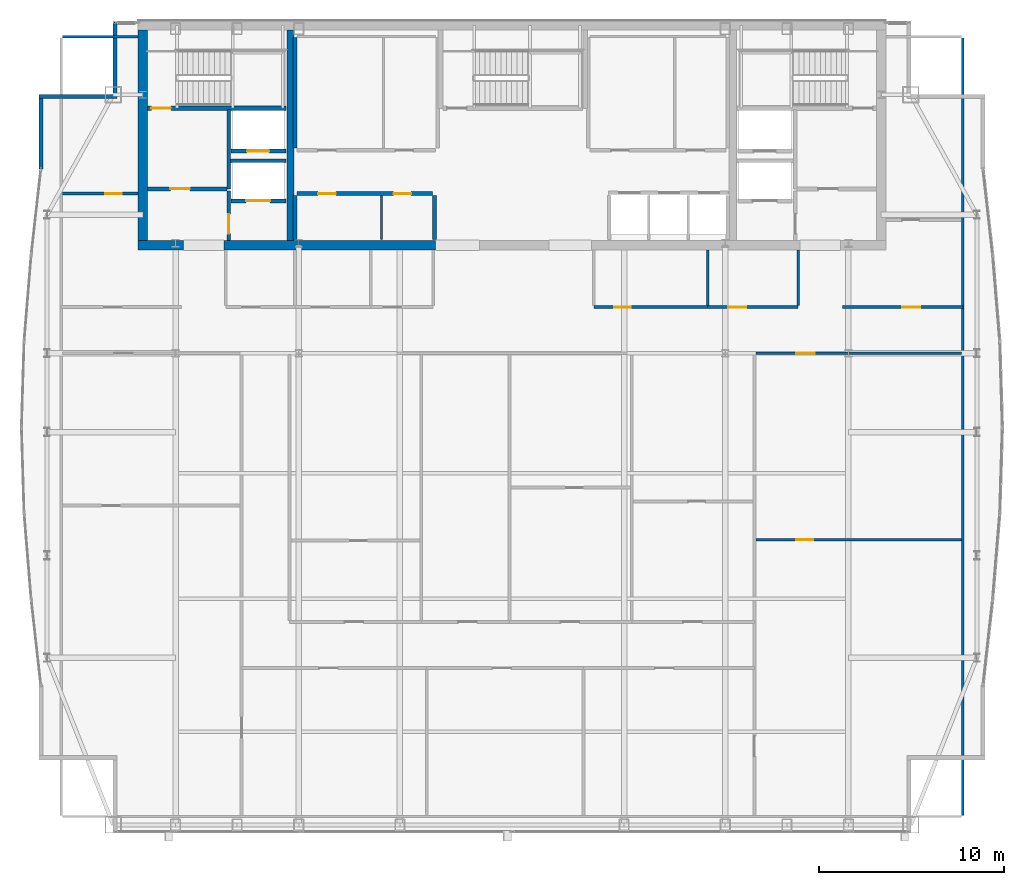
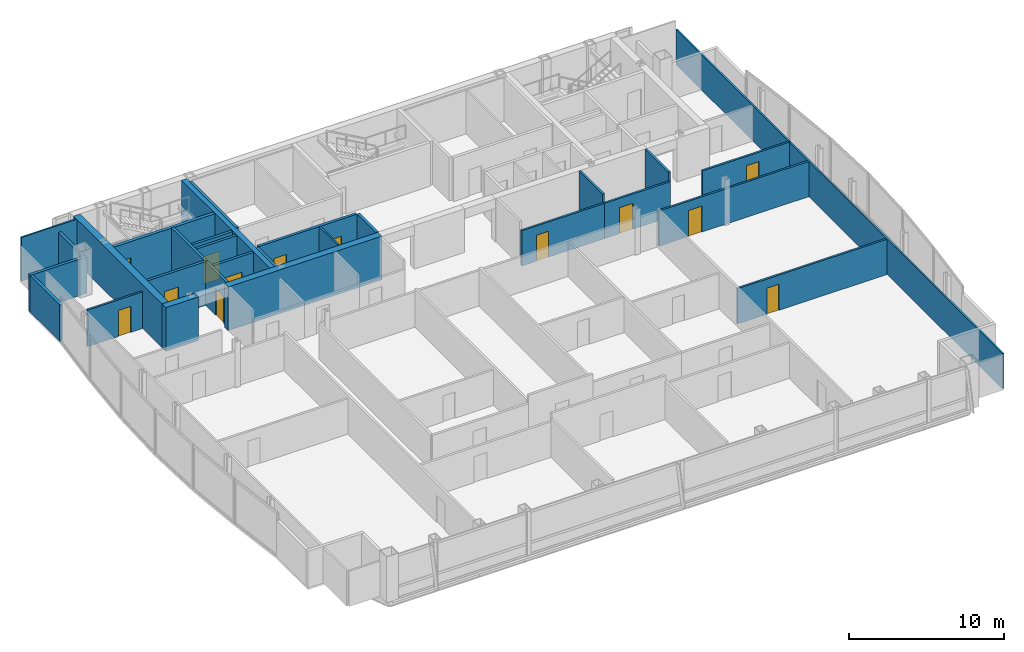
# One storey, part 21 of 25: 29 walls, 13 doors, 13 openings.
"""IFC4 building model written with IfcOpenShell, lengths in metres."""

from ifc_helpers import new_model, si_unit, direction, frame, frame_2d, origin, place, context, subcontext, project, spatial, rectangle, extrude, material, layer, layer_set, type_object, element, fill, save


model = new_model("IFC4")

# Units and contexts
model_context = context("Model", 3, precision=1e-05, world=origin(), true_north=direction((0.0, 1.0)))
body_context = subcontext(model_context, "Body", "Model", "MODEL_VIEW")
ifc_project = project(units=[si_unit("LENGTHUNIT", "METRE"), si_unit("AREAUNIT", "SQUARE_METRE"), si_unit("VOLUMEUNIT", "CUBIC_METRE"), si_unit("PLANEANGLEUNIT", "RADIAN"), si_unit("MASSUNIT", "GRAM", prefix="KILO")], contexts=[model_context])

# Site, building, storey
site_placement = place(None, origin())
site = spatial("IfcSite", under=ifc_project, at=site_placement, CompositionType="ELEMENT")
building_placement = place(site_placement, origin())
building = spatial("IfcBuilding", under=site, at=building_placement, Name="Khoronbel Lancet Exchange", CompositionType="ELEMENT")
storey_placement = place(building_placement, frame((0.0, 0.0, 295.0)))
storey = spatial("IfcBuildingStorey", under=building, at=storey_placement, Name="L76", CompositionType="ELEMENT", Elevation=295.0)

# Walls
ifc_material_1 = material(Name="Concrete C60/75", Category="concrete")
ifc_layer_1 = layer(ifc_material_1, 0.5, Name="Concrete C60/75")
ifc_layer_set_1 = layer_set([ifc_layer_1], Name="Concrete C60/75")
wall_type_1 = type_object("IfcWallType", Name="WL-CW4", PredefinedType="SHEAR", material=ifc_layer_set_1)
wall_1_placement = place(storey_placement, frame((16.449951171875, 41.800048828125, 0.0), z_axis=(0.0, 0.0, 1.0), x_axis=(0.0, 1.0, 0.0)))
element("IfcWall", 1, at=wall_1_placement, inside=storey, type_object=wall_type_1, Name="Level L76 rear core west shear wall", PredefinedType="SHEAR", context=body_context, shape_type="SweptSolid", body=[
    extrude(rectangle(XDim=11.39990234375, YDim=0.5, at=frame_2d((5.699951171875, 0.0))), origin(), (0.0, 0.0, 1.0), 3.43994140625),
])
wall_2_placement = place(storey_placement, frame((18.64990234375, 41.550048828125, 0.0), z_axis=(0.0, 0.0, 1.0), x_axis=(-1.0, 0.0, 0.0)))
element("IfcWall", 2, at=wall_2_placement, inside=storey, type_object=wall_type_1, Name="Level L76 rear core south shear wall pier P1", PredefinedType="SHEAR", context=body_context, shape_type="SweptSolid", body=[
    extrude(rectangle(XDim=2.449951171875, YDim=0.5, at=frame_2d((1.22509765625, 0.0))), origin(), (0.0, 0.0, 1.0), 3.43994140625),
])
wall_3_placement = place(storey_placement, frame((32.300048828125, 41.550048828125, 0.0), z_axis=(0.0, 0.0, 1.0), x_axis=(-1.0, 0.0, 0.0)))
element("IfcWall", 3, at=wall_3_placement, inside=storey, type_object=wall_type_1, Name="Level L76 rear core south shear wall pier P2", PredefinedType="SHEAR", context=body_context, shape_type="SweptSolid", body=[
    extrude(rectangle(XDim=11.449951171875, YDim=0.5, at=frame_2d((5.72509765625, 0.0))), origin(), (0.0, 0.0, 1.0), 3.43994140625),
])
ifc_material_2 = material(Name="Precast concrete C40/50", Category="concrete")
ifc_layer_2 = layer(ifc_material_2, 0.25, Name="Precast concrete C40/50")
ifc_layer_set_2 = layer_set([ifc_layer_2], Name="Precast concrete C40/50")
wall_type_2 = type_object("IfcWallType", Name="WL-EXT250", PredefinedType="SOLIDWALL", material=ifc_layer_set_2)
wall_4_placement = place(storey_placement, frame((10.93994140625, 45.675048828125, 0.0), z_axis=(0.0, 0.0, 1.0), x_axis=(0.0, 1.0, 0.0)))
element("IfcWall", 4, at=wall_4_placement, inside=storey, type_object=wall_type_2, Name="Level L76 notched-corner limestone pier 10", PredefinedType="SOLIDWALL", context=body_context, shape_type="SweptSolid", body=[
    extrude(rectangle(XDim=3.824951171875, YDim=0.219970703125, at=frame_2d((1.91259765625, 0.0))), origin(), (0.0, 0.0, 1.0), 2.8798828125),
])
wall_5_placement = place(storey_placement, frame((10.830078125, 49.610107421875, 0.0), z_axis=(0.0, 0.0, 1.0), x_axis=(1.0, 0.0, 0.0)))
element("IfcWall", 5, at=wall_5_placement, inside=storey, type_object=wall_type_2, Name="Level L76 notched-corner limestone pier 11", PredefinedType="SOLIDWALL", context=body_context, shape_type="SweptSolid", body=[
    extrude(rectangle(XDim=4.219970703125, YDim=0.219970703125, at=frame_2d((2.10986328125, 0.0))), origin(), (0.0, 0.0, 1.0), 2.8798828125),
])
wall_6_placement = place(storey_placement, frame((14.93994140625, 49.719970703125, 0.0), z_axis=(0.0, 0.0, 1.0), x_axis=(0.0, 1.0, 0.0)))
element("IfcWall", 6, at=wall_6_placement, inside=storey, type_object=wall_type_2, Name="Level L76 notched-corner limestone pier 12", PredefinedType="SOLIDWALL", context=body_context, shape_type="SweptSolid", body=[
    extrude(rectangle(XDim=3.909912109375, YDim=0.219970703125, at=frame_2d((1.955078125, 0.0))), origin(), (0.0, 0.0, 1.0), 2.8798828125),
])
ifc_material_3 = material(Name="Acoustic Metal-Stud & Mineral-Wool Gypsum Partition 120 mm", Category="gypsum")
ifc_layer_3 = layer(ifc_material_3, 0.1201171875, Name="Acoustic Metal-Stud & Mineral-Wool Gypsum Partition 120 mm")
ifc_layer_set_3 = layer_set([ifc_layer_3], Name="Acoustic Metal-Stud & Mineral-Wool Gypsum Partition 120 mm")
wall_type_3 = type_object("IfcWallType", Name="WL-PRT120", PredefinedType="PARTITIONING", material=ifc_layer_set_3)
for number, where, z_axis, x_axis, name in (
    (7, (47.050048828125, 38.280029296875, 0.0), (0.0, 0.0, 1.0), (0.0, 1.0, 0.0), "Level L76 interior partition PW-NP-M"),
    (8, (51.949951171875, 38.280029296875, 0.0), (0.0, 0.0, 1.0), (0.0, 1.0, 0.0), "Level L76 interior partition PW-NP-1"),
):
    element("IfcWall", number, at=place(storey_placement, frame(where, z_axis=z_axis, x_axis=x_axis)), inside=storey, type_object=wall_type_3, Name=name, PredefinedType="PARTITIONING", context=body_context, shape_type="SweptSolid", body=[
        extrude(rectangle(XDim=3.02001953125, YDim=0.14990234375, at=frame_2d((1.510009765625, 0.0))), origin(), (0.0, 0.0, 1.0), 3.43994140625),
    ])

# Wall, opening, door
wall_7_placement = place(storey_placement, frame((12.094970703125, 44.35009765625, 0.0), z_axis=(0.0, 0.0, 1.0), x_axis=(1.0, 0.0, 0.0)))
wall_7 = element("IfcWall", 9, at=wall_7_placement, inside=storey, type_object=wall_type_3, Name="Level L76 interior partition PW-NW-H", PredefinedType="PARTITIONING", context=body_context, shape_type="SweptSolid", body=[
    extrude(rectangle(XDim=4.10498046875, YDim=0.14990234375, at=frame_2d((2.052490234375, 0.0))), origin(), (0.0, 0.0, 1.0), 2.8798828125),
])
opening_1_placement = place(wall_7_placement, frame((2.320068359375, 0.0, 0.0)))
opening_1 = element("IfcOpeningElement", 10, at=opening_1_placement, cuts=wall_7, Name="Opening D5", PredefinedType="OPENING", context=body_context, shape_type="SweptSolid", body=[
    extrude(rectangle(XDim=0.89990234375, YDim=2.050048828125, at=frame_2d((0.449951171875, 1.02490234375))), frame((0.0, 0.0849609375, 0.0), z_axis=(0.0, -1.0, 0.0), x_axis=(1.0, 0.0, 0.0)), (0.0, 0.0, 1.0), 0.169921875),
])
ifc_material_4 = material(Name="Acoustic Timber Pantry & Support Door", Category="wood")
door_type_1 = type_object("IfcDoorType", Name="DR-D5", OperationType="NOTDEFINED", PredefinedType="DOOR", material=ifc_material_4)
door_1_placement = place(opening_1_placement, origin())
door_1 = element("IfcDoor", 11, at=door_1_placement, inside=storey, type_object=door_type_1, Name="NW north room door L76-1", OperationType="SINGLE_SWING_LEFT", OverallHeight=2.050048828125, OverallWidth=0.89990234375, PredefinedType="DOOR", context=body_context, shape_type="SweptSolid", body=[
    extrude(rectangle(XDim=0.89990234375, YDim=2.050048828125, at=frame_2d((0.449951171875, 1.02490234375))), frame((0.0, 0.02490234375, 0.0), z_axis=(0.0, -1.0, 0.0), x_axis=(1.0, 0.0, 0.0)), (0.0, 0.0, 1.0), 0.050048828125),
])
fill(opening_1, door_1)

wall_8_placement = place(storey_placement, frame((49.659912109375, 25.60009765625, 0.0), z_axis=(0.0, 0.0, 1.0), x_axis=(1.0, 0.0, 0.0)))
wall_8 = element("IfcWall", 12, at=wall_8_placement, inside=storey, type_object=wall_type_3, Name="Level L76 interior partition PW-Z4-EH", PredefinedType="PARTITIONING", context=body_context, shape_type="SweptSolid", body=[
    extrude(rectangle(XDim=11.14501953125, YDim=0.14990234375, at=frame_2d((5.572509765625, 0.0))), origin(), (0.0, 0.0, 1.0), 2.780029296875),
])
opening_2_placement = place(wall_8_placement, frame((2.199951171875, 0.0, 0.0)))
opening_2 = element("IfcOpeningElement", 13, at=opening_2_placement, cuts=wall_8, Name="Opening D5", PredefinedType="OPENING", context=body_context, shape_type="SweptSolid", body=[
    extrude(rectangle(XDim=0.89990234375, YDim=2.050048828125, at=frame_2d((0.449951171875, 1.02490234375))), frame((0.0, 0.0849609375, 0.0), z_axis=(0.0, -1.0, 0.0), x_axis=(1.0, 0.0, 0.0)), (0.0, 0.0, 1.0), 0.169921875),
])
door_2_placement = place(opening_2_placement, origin())
door_2 = element("IfcDoor", 14, at=door_2_placement, inside=storey, type_object=door_type_1, Name="East lens inner door L76-1", OperationType="SINGLE_SWING_RIGHT", OverallHeight=2.050048828125, OverallWidth=0.89990234375, PredefinedType="DOOR", context=body_context, shape_type="SweptSolid", body=[
    extrude(rectangle(XDim=0.89990234375, YDim=2.050048828125, at=frame_2d((0.449951171875, 1.02490234375))), frame((0.0, 0.02490234375, 0.0), z_axis=(0.0, -1.0, 0.0), x_axis=(1.0, 0.0, 0.0)), (0.0, 0.0, 1.0), 0.050048828125),
])
fill(opening_2, door_2)

# Walls
wall_9_placement = place(storey_placement, frame((60.8701171875, 10.6650390625, 0.0), z_axis=(0.0, 0.0, 1.0), x_axis=(0.0, 1.0, 0.0)))
element("IfcWall", 15, at=wall_9_placement, inside=storey, type_object=wall_type_3, Name="Level L76 interior partition PW-LIN-E", PredefinedType="PARTITIONING", context=body_context, shape_type="SweptSolid", body=[
    extrude(rectangle(XDim=42.10986328125, YDim=0.1201171875, at=frame_2d((21.054931640625, 0.0))), origin(), (0.0, 0.0, 1.0), 2.780029296875),
])
wall_10_placement = place(storey_placement, frame((12.094970703125, 52.840087890625, 0.0), z_axis=(0.0, 0.0, 1.0), x_axis=(1.0, 0.0, 0.0)))
element("IfcWall", 16, at=wall_10_placement, inside=storey, type_object=wall_type_3, Name="Level L76 interior partition PW-LIN-NW", PredefinedType="PARTITIONING", context=body_context, shape_type="SweptSolid", body=[
    extrude(rectangle(XDim=4.10498046875, YDim=0.1201171875, at=frame_2d((2.052490234375, 0.0))), origin(), (0.0, 0.0, 1.0), 3.43994140625),
])
ifc_material_5 = material(Name="Fire-Rated Metal-Stud & Mineral-Wool Gypsum Partition 120 mm", Category="gypsum")
ifc_layer_4 = layer(ifc_material_5, 0.1201171875, Name="Fire-Rated Metal-Stud & Mineral-Wool Gypsum Partition 120 mm")
ifc_layer_set_4 = layer_set([ifc_layer_4], Name="Fire-Rated Metal-Stud & Mineral-Wool Gypsum Partition 120 mm")
wall_type_4 = type_object("IfcWallType", Name="WL-PRT120F", PredefinedType="PARTITIONING", material=ifc_layer_set_4)
wall_11_placement = place(storey_placement, frame((29.381103515625, 41.85009765625, 0.0), z_axis=(0.0, 0.0, 1.0), x_axis=(0.0, 1.0, 0.0)))
element("IfcWall", 17, at=wall_11_placement, inside=storey, type_object=wall_type_4, Name="Level L76 interior partition CW-PM-RS2", PredefinedType="PARTITIONING", context=body_context, shape_type="SweptSolid", body=[
    extrude(rectangle(XDim=2.39501953125, YDim=0.1201171875, at=frame_2d((1.197509765625, 0.0))), origin(), (0.0, 0.0, 1.0), 3.43994140625),
])

# Wall, opening, door
ifc_material_6 = material(Name="Fire-Rated Twin-Stud Acoustic Gypsum Partition 150 mm", Category="gypsum")
ifc_layer_5 = layer(ifc_material_6, 0.14990234375, Name="Fire-Rated Twin-Stud Acoustic Gypsum Partition 150 mm")
ifc_layer_set_5 = layer_set([ifc_layer_5], Name="Fire-Rated Twin-Stud Acoustic Gypsum Partition 150 mm")
wall_type_5 = type_object("IfcWallType", Name="WL-PRT150C", PredefinedType="PARTITIONING", material=ifc_layer_set_5)
wall_12_placement = place(storey_placement, frame((40.8798828125, 38.199951171875, 0.0), z_axis=(0.0, 0.0, 1.0), x_axis=(1.0, 0.0, 0.0)))
wall_12 = element("IfcWall", 18, at=wall_12_placement, inside=storey, type_object=wall_type_5, Name="Level L76 interior partition PW-NP-S1", PredefinedType="PARTITIONING", context=body_context, shape_type="SweptSolid", body=[
    extrude(rectangle(XDim=6.170166015625, YDim=0.14990234375, at=frame_2d((3.0849609375, 0.0))), origin(), (0.0, 0.0, 1.0), 2.780029296875),
])
opening_3_placement = place(wall_12_placement, frame((1.10009765625, 0.0, 0.0)))
opening_3 = element("IfcOpeningElement", 19, at=opening_3_placement, cuts=wall_12, Name="Opening D5", PredefinedType="OPENING", context=body_context, shape_type="SweptSolid", body=[
    extrude(rectangle(XDim=0.89990234375, YDim=2.050048828125, at=frame_2d((0.449951171875, 1.02490234375))), frame((0.0, 0.0849609375, 0.0), z_axis=(0.0, -1.0, 0.0), x_axis=(1.0, 0.0, 0.0)), (0.0, 0.0, 1.0), 0.169921875),
])
door_3_placement = place(opening_3_placement, origin())
door_3 = element("IfcDoor", 20, at=door_3_placement, inside=storey, type_object=door_type_1, Name="Floor refreshment pantry door L76-1", OperationType="SINGLE_SWING_LEFT", OverallHeight=2.050048828125, OverallWidth=0.89990234375, PredefinedType="DOOR", context=body_context, shape_type="SweptSolid", body=[
    extrude(rectangle(XDim=0.89990234375, YDim=2.050048828125, at=frame_2d((0.449951171875, 1.02490234375))), frame((0.0, 0.02490234375, 0.0), z_axis=(0.0, -1.0, 0.0), x_axis=(1.0, 0.0, 0.0)), (0.0, 0.0, 1.0), 0.050048828125),
])
fill(opening_3, door_3)

wall_13_placement = place(storey_placement, frame((47.050048828125, 38.199951171875, 0.0), z_axis=(0.0, 0.0, 1.0), x_axis=(1.0, 0.0, 0.0)))
wall_13 = element("IfcWall", 21, at=wall_13_placement, inside=storey, type_object=wall_type_5, Name="Level L76 interior partition PW-NP-S2", PredefinedType="PARTITIONING", context=body_context, shape_type="SweptSolid", body=[
    extrude(rectangle(XDim=4.89990234375, YDim=0.14990234375, at=frame_2d((2.449951171875, 0.0))), origin(), (0.0, 0.0, 1.0), 2.780029296875),
])
opening_4_placement = place(wall_13_placement, frame((1.10009765625, 0.0, 0.0)))
opening_4 = element("IfcOpeningElement", 22, at=opening_4_placement, cuts=wall_13, Name="Opening D2", PredefinedType="OPENING", context=body_context, shape_type="SweptSolid", body=[
    extrude(rectangle(XDim=1.0, YDim=2.050048828125, at=frame_2d((0.5, 1.02490234375))), frame((0.0, 0.0849609375, 0.0), z_axis=(0.0, -1.0, 0.0), x_axis=(1.0, 0.0, 0.0)), (0.0, 0.0, 1.0), 0.169921875),
])
ifc_material_7 = material(Name="Acoustic Veneered Timber & Bronze Frame Door", Category="wood")
door_type_2 = type_object("IfcDoorType", Name="DR-D2", OperationType="NOTDEFINED", PredefinedType="DOOR", material=ifc_material_7)
door_4_placement = place(opening_4_placement, origin())
door_4 = element("IfcDoor", 23, at=door_4_placement, inside=storey, type_object=door_type_2, Name="Floor store door L76-1", OperationType="SINGLE_SWING_RIGHT", OverallHeight=2.050048828125, OverallWidth=1.0, PredefinedType="DOOR", context=body_context, shape_type="SweptSolid", body=[
    extrude(rectangle(XDim=1.0, YDim=2.050048828125, at=frame_2d((0.5, 1.02490234375))), frame((0.0, 0.02490234375, 0.0), z_axis=(0.0, -1.0, 0.0), x_axis=(1.0, 0.0, 0.0)), (0.0, 0.0, 1.0), 0.050048828125),
])
fill(opening_4, door_4)

wall_14_placement = place(storey_placement, frame((54.35009765625, 38.199951171875, 0.0), z_axis=(0.0, 0.0, 1.0), x_axis=(1.0, 0.0, 0.0)))
wall_14 = element("IfcWall", 24, at=wall_14_placement, inside=storey, type_object=wall_type_5, Name="Level L76 interior partition PW-NE-S", PredefinedType="PARTITIONING", context=body_context, shape_type="SweptSolid", body=[
    extrude(rectangle(XDim=6.52001953125, YDim=0.14990234375, at=frame_2d((3.260009765625, 0.0))), origin(), (0.0, 0.0, 1.0), 2.780029296875),
])
opening_5_placement = place(wall_14_placement, frame((3.25, 0.0, 0.0)))
opening_5 = element("IfcOpeningElement", 25, at=opening_5_placement, cuts=wall_14, Name="Opening D1", PredefinedType="OPENING", context=body_context, shape_type="SweptSolid", body=[
    extrude(rectangle(XDim=0.949951171875, YDim=2.050048828125, at=frame_2d((0.47509765625, 1.02490234375))), frame((0.0, 0.0849609375, 0.0), z_axis=(0.0, -1.0, 0.0), x_axis=(1.0, 0.0, 0.0)), (0.0, 0.0, 1.0), 0.169921875),
])
door_type_3 = type_object("IfcDoorType", Name="DR-D1", OperationType="NOTDEFINED", PredefinedType="DOOR", material=ifc_material_7)
door_5_placement = place(opening_5_placement, origin())
door_5 = element("IfcDoor", 26, at=door_5_placement, inside=storey, type_object=door_type_3, Name="NE corner room door L76-1", OperationType="SINGLE_SWING_RIGHT", OverallHeight=2.050048828125, OverallWidth=0.949951171875, PredefinedType="DOOR", context=body_context, shape_type="SweptSolid", body=[
    extrude(rectangle(XDim=0.949951171875, YDim=2.050048828125, at=frame_2d((0.47509765625, 1.02490234375))), frame((0.0, 0.02490234375, 0.0), z_axis=(0.0, -1.0, 0.0), x_axis=(1.0, 0.0, 0.0)), (0.0, 0.0, 1.0), 0.050048828125),
])
fill(opening_5, door_5)

wall_15_placement = place(storey_placement, frame((49.659912109375, 35.699951171875, 0.0), z_axis=(0.0, 0.0, 1.0), x_axis=(1.0, 0.0, 0.0)))
wall_15 = element("IfcWall", 27, at=wall_15_placement, inside=storey, type_object=wall_type_5, Name="Level L76 interior partition PW-Z4-EN2", PredefinedType="PARTITIONING", context=body_context, shape_type="SweptSolid", body=[
    extrude(rectangle(XDim=11.14501953125, YDim=0.14990234375, at=frame_2d((5.572509765625, 0.0))), origin(), (0.0, 0.0, 1.0), 2.780029296875),
])
opening_6_placement = place(wall_15_placement, frame((2.199951171875, 0.0, 0.0)))
opening_6 = element("IfcOpeningElement", 28, at=opening_6_placement, cuts=wall_15, Name="Opening D2", PredefinedType="OPENING", context=body_context, shape_type="SweptSolid", body=[
    extrude(rectangle(XDim=1.0, YDim=2.050048828125, at=frame_2d((0.5, 1.02490234375))), frame((0.0, 0.0849609375, 0.0), z_axis=(0.0, -1.0, 0.0), x_axis=(1.0, 0.0, 0.0)), (0.0, 0.0, 1.0), 0.169921875),
])
door_6_placement = place(opening_6_placement, origin())
door_6 = element("IfcDoor", 29, at=door_6_placement, inside=storey, type_object=door_type_2, Name="East lens north door L76-1", OperationType="SINGLE_SWING_LEFT", OverallHeight=2.050048828125, OverallWidth=1.0, PredefinedType="DOOR", context=body_context, shape_type="SweptSolid", body=[
    extrude(rectangle(XDim=1.0, YDim=2.050048828125, at=frame_2d((0.5, 1.02490234375))), frame((0.0, 0.02490234375, 0.0), z_axis=(0.0, -1.0, 0.0), x_axis=(1.0, 0.0, 0.0)), (0.0, 0.0, 1.0), 0.050048828125),
])
fill(opening_6, door_6)

ifc_material_8 = material(Name="Autoclaved Aerated Concrete Blockwork 200 mm", Category="masonry")
ifc_layer_6 = layer(ifc_material_8, 0.199951171875, Name="Autoclaved Aerated Concrete Blockwork 200 mm")
ifc_layer_set_6 = layer_set([ifc_layer_6], Name="Autoclaved Aerated Concrete Blockwork 200 mm")
wall_type_6 = type_object("IfcWallType", Name="WL-PRT200", PredefinedType="PARTITIONING", material=ifc_layer_set_6)
wall_16_placement = place(storey_placement, frame((24.2099609375, 43.949951171875, 0.0), z_axis=(0.0, 0.0, 1.0), x_axis=(-1.0, 0.0, 0.0)))
wall_16 = element("IfcWall", 30, at=wall_16_placement, inside=storey, type_object=wall_type_6, Name="Level L76 elevator hoistway landing front wall SVLW", PredefinedType="PARTITIONING", context=body_context, shape_type="SweptSolid", body=[
    extrude(rectangle(XDim=2.969970703125, YDim=0.199951171875, at=frame_2d((1.48486328125, 0.0))), origin(), (0.0, 0.0, 1.0), 3.43994140625),
])
opening_7_placement = place(wall_16_placement, frame((0.860107421875, 0.0, 0.0)))
opening_7 = element("IfcOpeningElement", 31, at=opening_7_placement, cuts=wall_16, Name="Opening LD-SVL1", PredefinedType="OPENING", context=body_context, shape_type="SweptSolid", body=[
    extrude(rectangle(XDim=1.300048828125, YDim=2.179931640625, at=frame_2d((0.64990234375, 1.08984375))), frame((0.0, 0.10986328125, 0.0), z_axis=(0.0, -1.0, 0.0), x_axis=(1.0, 0.0, 0.0)), (0.0, 0.0, 1.0), 0.219970703125),
])
ifc_material_9 = material(Name="Heavy-Duty Bi-Parting Goods Lift Landing Door", Category="steel")
door_type_4 = type_object("IfcDoorType", Name="DR-LD-SVL", OperationType="NOTDEFINED", PredefinedType="DOOR", material=ifc_material_9)
door_7_placement = place(opening_7_placement, origin())
door_7 = element("IfcDoor", 32, at=door_7_placement, inside=storey, type_object=door_type_4, Name="Elevator landing sliding door LD-SVL1 L76", OperationType="SLIDING_TO_LEFT", OverallHeight=2.179931640625, OverallWidth=1.300048828125, PredefinedType="DOOR", context=body_context, shape_type="SweptSolid", body=[
    extrude(rectangle(XDim=1.300048828125, YDim=2.179931640625, at=frame_2d((0.64990234375, 1.08984375))), frame((0.0, 0.02490234375, 0.0), z_axis=(0.0, -1.0, 0.0), x_axis=(1.0, 0.0, 0.0)), (0.0, 0.0, 1.0), 0.050048828125),
])
fill(opening_7, door_7)

wall_17_placement = place(storey_placement, frame((24.2099609375, 46.64990234375, 0.0), z_axis=(0.0, 0.0, 1.0), x_axis=(-1.0, 0.0, 0.0)))
wall_17 = element("IfcWall", 33, at=wall_17_placement, inside=storey, type_object=wall_type_6, Name="Level L76 elevator hoistway landing front wall FFLW", PredefinedType="PARTITIONING", context=body_context, shape_type="SweptSolid", body=[
    extrude(rectangle(XDim=2.969970703125, YDim=0.199951171875, at=frame_2d((1.48486328125, 0.0))), origin(), (0.0, 0.0, 1.0), 3.43994140625),
])
opening_8_placement = place(wall_17_placement, frame((0.909912109375, 0.0, 0.0)))
opening_8 = element("IfcOpeningElement", 34, at=opening_8_placement, cuts=wall_17, Name="Opening LD-FFL1", PredefinedType="OPENING", context=body_context, shape_type="SweptSolid", body=[
    extrude(rectangle(XDim=1.199951171875, YDim=2.179931640625, at=frame_2d((0.60009765625, 1.08984375))), frame((0.0, 0.10986328125, 0.0), z_axis=(0.0, -1.0, 0.0), x_axis=(1.0, 0.0, 0.0)), (0.0, 0.0, 1.0), 0.219970703125),
])
ifc_material_10 = material(Name="Fire-Rated Stainless Bi-Parting Firefighting Lift Door", Category="steel")
door_type_5 = type_object("IfcDoorType", Name="DR-LD-FFL", OperationType="NOTDEFINED", PredefinedType="DOOR", material=ifc_material_10)
door_8_placement = place(opening_8_placement, origin())
door_8 = element("IfcDoor", 35, at=door_8_placement, inside=storey, type_object=door_type_5, Name="Elevator landing sliding door LD-FFL1 L76", OperationType="SLIDING_TO_LEFT", OverallHeight=2.179931640625, OverallWidth=1.199951171875, PredefinedType="DOOR", context=body_context, shape_type="SweptSolid", body=[
    extrude(rectangle(XDim=1.199951171875, YDim=2.179931640625, at=frame_2d((0.60009765625, 1.08984375))), frame((0.0, 0.02490234375, 0.0), z_axis=(0.0, -1.0, 0.0), x_axis=(1.0, 0.0, 0.0)), (0.0, 0.0, 1.0), 0.050048828125),
])
fill(opening_8, door_8)

# Wall
wall_18_placement = place(storey_placement, frame((21.10009765625, 44.60009765625, 0.0), z_axis=(0.0, 0.0, 1.0), x_axis=(0.0, 1.0, 0.0)))
element("IfcWall", 36, at=wall_18_placement, inside=storey, type_object=wall_type_6, Name="Level L76 interior partition CW-FFLW-E", PredefinedType="PARTITIONING", context=body_context, shape_type="SweptSolid", body=[
    extrude(rectangle(XDim=4.2998046875, YDim=0.199951171875, at=frame_2d((2.14990234375, 0.0))), origin(), (0.0, 0.0, 1.0), 3.43994140625),
])

# Wall, opening, door
wall_19_placement = place(storey_placement, frame((16.699951171875, 44.60009765625, 0.0), z_axis=(0.0, 0.0, 1.0), x_axis=(1.0, 0.0, 0.0)))
wall_19 = element("IfcWall", 37, at=wall_19_placement, inside=storey, type_object=wall_type_6, Name="Level L76 interior partition CW-FFLW-S", PredefinedType="PARTITIONING", context=body_context, shape_type="SweptSolid", body=[
    extrude(rectangle(XDim=4.300048828125, YDim=0.199951171875, at=frame_2d((2.14990234375, 0.0))), origin(), (0.0, 0.0, 1.0), 3.43994140625),
])
opening_9_placement = place(wall_19_placement, frame((1.25, 0.0, 0.0)))
opening_9 = element("IfcOpeningElement", 38, at=opening_9_placement, cuts=wall_19, Name="Opening FD1", PredefinedType="OPENING", context=body_context, shape_type="SweptSolid", body=[
    extrude(rectangle(XDim=1.050048828125, YDim=2.14990234375, at=frame_2d((0.52490234375, 1.074951171875))), frame((0.0, 0.10986328125, 0.0), z_axis=(0.0, -1.0, 0.0), x_axis=(1.0, 0.0, 0.0)), (0.0, 0.0, 1.0), 0.219970703125),
])
ifc_material_11 = material(Name="Fire-Rated Painted Steel Door Assembly", Category="steel")
door_type_6 = type_object("IfcDoorType", Name="DR-FD1", OperationType="NOTDEFINED", PredefinedType="DOOR", material=ifc_material_11)
door_9_placement = place(opening_9_placement, origin())
door_9 = element("IfcDoor", 39, at=door_9_placement, inside=storey, type_object=door_type_6, Name="West firefighting lobby FD90S door L76-1", OperationType="SINGLE_SWING_RIGHT", OverallHeight=2.14990234375, OverallWidth=1.050048828125, PredefinedType="DOOR", context=body_context, shape_type="SweptSolid", body=[
    extrude(rectangle(XDim=1.050048828125, YDim=2.14990234375, at=frame_2d((0.52490234375, 1.074951171875))), frame((0.0, 0.02490234375, 0.0), z_axis=(0.0, -1.0, 0.0), x_axis=(1.0, 0.0, 0.0)), (0.0, 0.0, 1.0), 0.050048828125),
])
fill(opening_9, door_9)

# Wall
wall_20_placement = place(storey_placement, frame((21.199951171875, 46.1201171875, 0.0), z_axis=(0.0, 0.0, 1.0), x_axis=(1.0, 0.0, 0.0)))
element("IfcWall", 40, at=wall_20_placement, inside=storey, type_object=wall_type_6, Name="Level L76 interior partition CW-FFL1-S", PredefinedType="PARTITIONING", context=body_context, shape_type="SweptSolid", body=[
    extrude(rectangle(XDim=3.02001953125, YDim=0.199951171875, at=frame_2d((1.510009765625, 0.0))), origin(), (0.0, 0.0, 1.0), 3.43994140625),
])

# Wall, opening, door
wall_21_placement = place(storey_placement, frame((21.10009765625, 41.800048828125, 0.0), z_axis=(0.0, 0.0, 1.0), x_axis=(0.0, 1.0, 0.0)))
wall_21 = element("IfcWall", 41, at=wall_21_placement, inside=storey, type_object=wall_type_6, Name="Level L76 interior partition CW-SVLW-W", PredefinedType="PARTITIONING", context=body_context, shape_type="SweptSolid", body=[
    extrude(rectangle(XDim=2.695068359375, YDim=0.199951171875, at=frame_2d((1.34765625, 0.0))), origin(), (0.0, 0.0, 1.0), 3.43994140625),
])
opening_10_placement = place(wall_21_placement, frame((0.3798828125, 0.0, 0.0)))
opening_10 = element("IfcOpeningElement", 42, at=opening_10_placement, cuts=wall_21, Name="Opening FD1", PredefinedType="OPENING", context=body_context, shape_type="SweptSolid", body=[
    extrude(rectangle(XDim=1.050048828125, YDim=2.14990234375, at=frame_2d((0.52490234375, 1.074951171875))), frame((0.0, 0.10986328125, 0.0), z_axis=(0.0, -1.0, 0.0), x_axis=(1.0, 0.0, 0.0)), (0.0, 0.0, 1.0), 0.219970703125),
])
door_10_placement = place(opening_10_placement, origin())
door_10 = element("IfcDoor", 43, at=door_10_placement, inside=storey, type_object=door_type_6, Name="West service lift lobby door L76-1", OperationType="SINGLE_SWING_LEFT", OverallHeight=2.14990234375, OverallWidth=1.050048828125, PredefinedType="DOOR", context=body_context, shape_type="SweptSolid", body=[
    extrude(rectangle(XDim=1.050048828125, YDim=2.14990234375, at=frame_2d((0.52490234375, 1.074951171875))), frame((0.0, 0.02490234375, 0.0), z_axis=(0.0, -1.0, 0.0), x_axis=(1.0, 0.0, 0.0)), (0.0, 0.0, 1.0), 0.050048828125),
])
fill(opening_10, door_10)

# Walls
wall_22_placement = place(storey_placement, frame((24.699951171875, 46.804931640625, 0.0), z_axis=(0.0, 0.0, 1.0), x_axis=(0.0, 1.0, 0.0)))
element("IfcWall", 44, at=wall_22_placement, inside=storey, type_object=wall_type_6, Name="Level L76 interior partition CW-PL-RW", PredefinedType="PARTITIONING", context=body_context, shape_type="SweptSolid", body=[
    extrude(rectangle(XDim=5.989990234375, YDim=0.199951171875, at=frame_2d((2.9951171875, 0.0))), origin(), (0.0, 0.0, 1.0), 3.43994140625),
])
for number, where, z_axis, x_axis, name in (
    (45, (24.699951171875, 41.85009765625, 0.0), (0.0, 0.0, 1.0), (0.0, 1.0, 0.0), "Level L76 interior partition CW-PM-RW"),
    (46, (32.25, 41.85009765625, 0.0), (0.0, 0.0, 1.0), (0.0, 1.0, 0.0), "Level L76 interior partition CW-PM-RE"),
):
    element("IfcWall", number, at=place(storey_placement, frame(where, z_axis=z_axis, x_axis=x_axis)), inside=storey, type_object=wall_type_6, Name=name, PredefinedType="PARTITIONING", context=body_context, shape_type="SweptSolid", body=[
        extrude(rectangle(XDim=2.39501953125, YDim=0.199951171875, at=frame_2d((1.197509765625, 0.0))), origin(), (0.0, 0.0, 1.0), 3.43994140625),
    ])

# Wall, openings, doors
wall_23_placement = place(storey_placement, frame((24.804931640625, 44.35009765625, 0.0), z_axis=(0.0, 0.0, 1.0), x_axis=(1.0, 0.0, 0.0)))
wall_23 = element("IfcWall", 47, at=wall_23_placement, inside=storey, type_object=wall_type_6, Name="Level L76 interior partition CW-PM-RF", PredefinedType="PARTITIONING", context=body_context, shape_type="SweptSolid", body=[
    extrude(rectangle(XDim=7.340087890625, YDim=0.199951171875, at=frame_2d((3.669921875, 0.0))), origin(), (0.0, 0.0, 1.0), 3.43994140625),
])
opening_11_placement = place(wall_23_placement, frame((1.14990234375, 0.0, 0.0)))
opening_11 = element("IfcOpeningElement", 48, at=opening_11_placement, cuts=wall_23, Name="Opening FD3", PredefinedType="OPENING", context=body_context, shape_type="SweptSolid", body=[
    extrude(rectangle(XDim=0.949951171875, YDim=2.10009765625, at=frame_2d((0.47509765625, 1.050048828125))), frame((0.0, 0.10986328125, 0.0), z_axis=(0.0, -1.0, 0.0), x_axis=(1.0, 0.0, 0.0)), (0.0, 0.0, 1.0), 0.219970703125),
])
opening_12_placement = place(wall_23_placement, frame((5.23095703125, 0.0, 0.0)))
opening_12 = element("IfcOpeningElement", 49, at=opening_12_placement, cuts=wall_23, Name="Opening FD3", PredefinedType="OPENING", context=body_context, shape_type="SweptSolid", body=[
    extrude(rectangle(XDim=0.949951171875, YDim=2.10009765625, at=frame_2d((0.47509765625, 1.050048828125))), frame((0.0, 0.10986328125, 0.0), z_axis=(0.0, -1.0, 0.0), x_axis=(1.0, 0.0, 0.0)), (0.0, 0.0, 1.0), 0.219970703125),
])
ifc_material_12 = material(Name="Fire-Rated Steel Plant & Riser Door Assembly", Category="steel")
door_type_7 = type_object("IfcDoorType", Name="DR-FD3", OperationType="NOTDEFINED", PredefinedType="DOOR", material=ifc_material_12)
door_11_placement = place(opening_11_placement, origin())
door_11 = element("IfcDoor", 50, at=door_11_placement, inside=storey, type_object=door_type_7, Name="Reclaimed PM C door L76-1", OperationType="SINGLE_SWING_RIGHT", OverallHeight=2.10009765625, OverallWidth=0.949951171875, PredefinedType="DOOR", context=body_context, shape_type="SweptSolid", body=[
    extrude(rectangle(XDim=0.949951171875, YDim=2.10009765625, at=frame_2d((0.47509765625, 1.050048828125))), frame((0.0, 0.02490234375, 0.0), z_axis=(0.0, -1.0, 0.0), x_axis=(1.0, 0.0, 0.0)), (0.0, 0.0, 1.0), 0.050048828125),
])
fill(opening_11, door_11)
door_12_placement = place(opening_12_placement, origin())
door_12 = element("IfcDoor", 51, at=door_12_placement, inside=storey, type_object=door_type_7, Name="Reclaimed PM D door L76-2", OperationType="SINGLE_SWING_LEFT", OverallHeight=2.10009765625, OverallWidth=0.949951171875, PredefinedType="DOOR", context=body_context, shape_type="SweptSolid", body=[
    extrude(rectangle(XDim=0.949951171875, YDim=2.10009765625, at=frame_2d((0.47509765625, 1.050048828125))), frame((0.0, 0.02490234375, 0.0), z_axis=(0.0, -1.0, 0.0), x_axis=(1.0, 0.0, 0.0)), (0.0, 0.0, 1.0), 0.050048828125),
])
fill(opening_12, door_12)

# Wall
ifc_layer_7 = layer(ifc_material_1, 0.39990234375, Name="Concrete C60/75")
ifc_layer_set_7 = layer_set([ifc_layer_7], Name="Concrete C60/75")
wall_type_7 = type_object("IfcWallType", Name="WL-SW2", PredefinedType="SHEAR", material=ifc_layer_set_7)
wall_24_placement = place(storey_placement, frame((24.449951171875, 41.800048828125, 0.0), z_axis=(0.0, 0.0, 1.0), x_axis=(0.0, 1.0, 0.0)))
element("IfcWall", 52, at=wall_24_placement, inside=storey, type_object=wall_type_7, Name="Level L76 rear core internal spine shear wall IW", PredefinedType="SHEAR", context=body_context, shape_type="SweptSolid", body=[
    extrude(rectangle(XDim=11.39990234375, YDim=0.39990234375, at=frame_2d((5.699951171875, 0.0))), origin(), (0.0, 0.0, 1.0), 3.43994140625),
])

# Wall, opening, door
ifc_layer_8 = layer(ifc_material_1, 0.260009765625, Name="Concrete C60/75")
ifc_layer_set_8 = layer_set([ifc_layer_8], Name="Concrete C60/75")
wall_type_8 = type_object("IfcWallType", Name="WL-SW3", PredefinedType="SHEAR", material=ifc_layer_set_8)
wall_25_placement = place(storey_placement, frame((16.699951171875, 48.97998046875, 0.0), z_axis=(0.0, 0.0, 1.0), x_axis=(1.0, 0.0, 0.0)))
wall_25 = element("IfcWall", 53, at=wall_25_placement, inside=storey, type_object=wall_type_8, Name="Level L76 west stairwell structural south wall", PredefinedType="SHEAR", context=body_context, shape_type="SweptSolid", body=[
    extrude(rectangle(XDim=7.52001953125, YDim=0.239990234375, at=frame_2d((3.760009765625, 0.0))), origin(), (0.0, 0.0, 1.0), 3.43994140625),
])
opening_13_placement = place(wall_25_placement, frame((0.219970703125, 0.0, 0.0)))
opening_13 = element("IfcOpeningElement", 54, at=opening_13_placement, cuts=wall_25, Name="Opening SD1", PredefinedType="OPENING", context=body_context, shape_type="SweptSolid", body=[
    extrude(rectangle(XDim=1.050048828125, YDim=2.14990234375, at=frame_2d((0.52490234375, 1.074951171875))), frame((0.0, 0.1298828125, 0.0), z_axis=(0.0, -1.0, 0.0), x_axis=(1.0, 0.0, 0.0)), (0.0, 0.0, 1.0), 0.260009765625),
])
ifc_material_13 = material(Name="Fire-Rated Steel Stairwell Door Assembly", Category="steel")
door_type_8 = type_object("IfcDoorType", Name="DR-SD1", OperationType="NOTDEFINED", PredefinedType="DOOR", material=ifc_material_13)
door_13_placement = place(opening_13_placement, origin())
door_13 = element("IfcDoor", 55, at=door_13_placement, inside=storey, type_object=door_type_8, Name="Protected exit stair ST1 door L76", OperationType="SINGLE_SWING_LEFT", OverallHeight=2.14990234375, OverallWidth=1.050048828125, PredefinedType="DOOR", context=body_context, shape_type="SweptSolid", body=[
    extrude(rectangle(XDim=1.050048828125, YDim=2.14990234375, at=frame_2d((0.52490234375, 1.074951171875))), frame((0.0, 0.02490234375, 0.0), z_axis=(0.0, -1.0, 0.0), x_axis=(1.0, 0.0, 0.0)), (0.0, 0.0, 1.0), 0.050048828125),
])
fill(opening_13, door_13)

save(model, "model.ifc")
